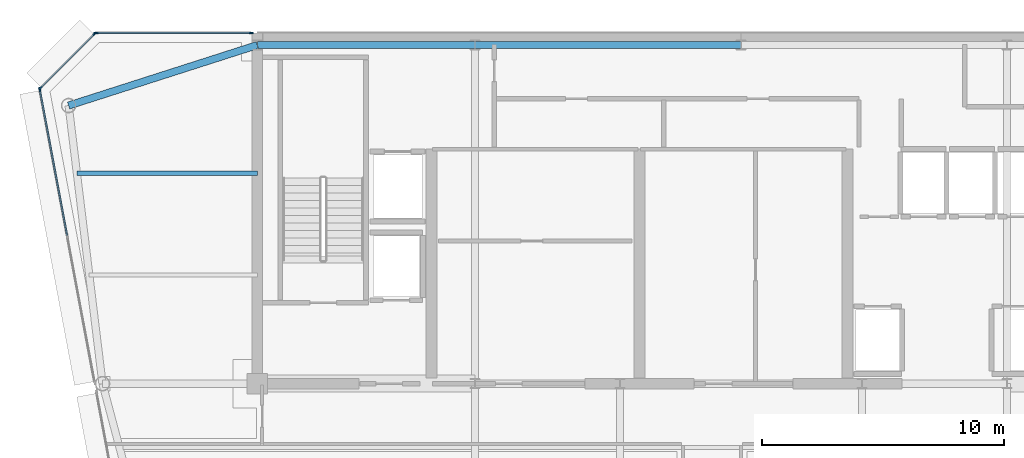
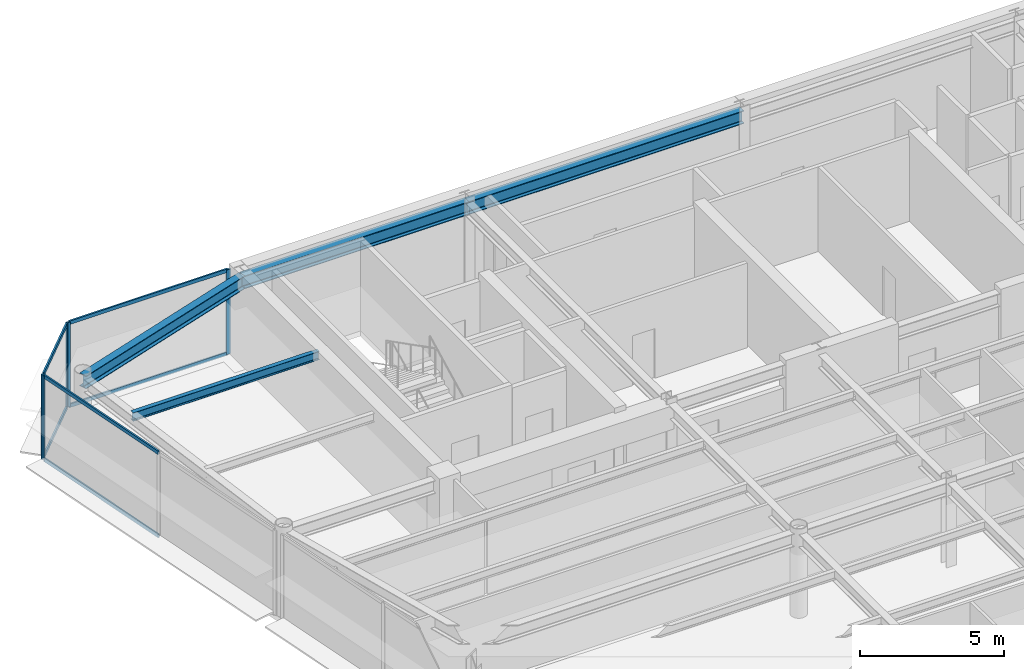
# One storey, part 8 of 19: 11 members, 4 beams, 3 elements without a shape of their own.
"""IFC4 building model written with IfcOpenShell, lengths in metres."""

import ifcopenshell
import ifcopenshell.guid

model = None  # the IFC model being written
_history = None  # IfcOwnerHistory: only IFC2X3 demands one
_inside = {}  # id of a spatial element -> (the spatial element, [elements in it])
_under = {}  # id of a project, library or spatial element -> (it, [spatial elements below it])
_declared = {}  # id of a project -> (the project, [libraries it declares])
_typed = {}  # id of a type object -> (the type object, [elements of that type])
_made_of = {}  # id of a material, layer set ... -> (it, [elements and type objects made of it])


def new_model(schema):
    """Start an empty IFC model of exactly this schema.

    Asked for "IFC4X3", IfcOpenShell would pick the latest addendum, in which some entities
    have other attributes; the version numbers below select the first issue.
    IFC2X3 requires an IfcOwnerHistory on every rooted entity: one is made here for all.
    """
    global model, _history
    if schema == "IFC4X3":
        model = ifcopenshell.file(schema_version=(4, 3, 0, 0))
    else:
        model = ifcopenshell.file(schema=schema)
    _inside.clear()
    _under.clear()
    _declared.clear()
    _typed.clear()
    _made_of.clear()
    _history = None
    if model.schema == "IFC2X3":
        org = make("IfcOrganization", Name="unknown")
        user = make(
            "IfcPersonAndOrganization",
            ThePerson=make("IfcPerson", FamilyName="unknown"),
            TheOrganization=org,
        )
        app = make(
            "IfcApplication",
            ApplicationDeveloper=org,
            Version="unknown",
            ApplicationFullName="unknown",
            ApplicationIdentifier="unknown",
        )
        _history = make(
            "IfcOwnerHistory",
            OwningUser=user,
            OwningApplication=app,
            ChangeAction="ADDED",
            CreationDate=0,
        )
    return model


def make(cls, **values):
    """One entity of the class cls with the attributes given. An attribute that is None is left unset."""
    return model.create_entity(
        cls, **{name: value for name, value in values.items() if value is not None}
    )


def rooted(cls, **values):
    """An entity with a GlobalId (a new one), such as an element, a storey or a relation."""
    return make(cls, GlobalId=ifcopenshell.guid.new(), OwnerHistory=_history, **values)


def si_unit(unit_type, name, prefix=None):
    """IfcSIUnit, for example si_unit("LENGTHUNIT", "METRE", prefix="MILLI")."""
    return make("IfcSIUnit", UnitType=unit_type, Prefix=prefix, Name=name)


def assignment(units):
    """IfcUnitAssignment: the units of a project."""
    return None if units is None else make("IfcUnitAssignment", Units=units)


def point(xyz):
    """IfcCartesianPoint."""
    return None if xyz is None else make("IfcCartesianPoint", Coordinates=xyz)


def direction(xyz):
    """IfcDirection."""
    return None if xyz is None else make("IfcDirection", DirectionRatios=xyz)


def frame(location, z_axis=None, x_axis=None):
    """IfcAxis2Placement3D, a coordinate frame: its origin and axes. An axis left out is left unset."""
    return make(
        "IfcAxis2Placement3D",
        Location=point(location),
        Axis=direction(z_axis),
        RefDirection=direction(x_axis),
    )


def frame_2d(location, x_axis=None):
    """IfcAxis2Placement2D, a coordinate frame in the plane: its origin and x axis."""
    return make(
        "IfcAxis2Placement2D", Location=point(location), RefDirection=direction(x_axis)
    )


def origin():
    """The frame at (0, 0, 0) with its axes left unset."""
    return frame((0.0, 0.0, 0.0))


def origin_2d():
    """The frame at (0, 0) in the plane with its x axis left unset."""
    return frame_2d((0.0, 0.0))


def place(relative_to, where):
    """IfcLocalPlacement: puts the frame where relative to a parent placement (None: the world)."""
    return make(
        "IfcLocalPlacement", PlacementRelTo=relative_to, RelativePlacement=where
    )


def context(
    kind, dimensions, precision=None, world=None, true_north=None, identifier=None
):
    """IfcGeometricRepresentationContext, for example the 3D "Model" context."""
    return make(
        "IfcGeometricRepresentationContext",
        ContextIdentifier=identifier,
        ContextType=kind,
        CoordinateSpaceDimension=dimensions,
        Precision=precision,
        WorldCoordinateSystem=world,
        TrueNorth=true_north,
    )


def subcontext(parent, identifier, kind, view, scale=None):
    """IfcGeometricRepresentationSubContext, for example "Body" below "Model"."""
    return make(
        "IfcGeometricRepresentationSubContext",
        ContextIdentifier=identifier,
        ContextType=kind,
        ParentContext=parent,
        TargetScale=scale,
        TargetView=view,
    )


def project(units=None, contexts=None):
    """IfcProject with its units and contexts."""
    return rooted(
        "IfcProject",
        Name="project",
        RepresentationContexts=contexts,
        UnitsInContext=assignment(units),
    )


def spatial(cls, under=None, at=None, **own):
    """A site, building, storey or space (cls), placed at a placement, below another one or the project."""
    s = rooted(cls, ObjectPlacement=at, **own)
    if under is not None:
        _under.setdefault(under.id(), (under, []))[1].append(s)
    return s


def profile(cls, at=None, kind="AREA", **sizes):
    """A parametric profile (cls). Its sizes go by their IFC names, for example OverallWidth=200.0."""
    return make(cls, ProfileType=kind, Position=at, **sizes)


def rectangle(**sizes):
    """IfcRectangleProfileDef."""
    return profile("IfcRectangleProfileDef", **sizes)


def i_section(**sizes):
    """IfcIShapeProfileDef."""
    return profile("IfcIShapeProfileDef", **sizes)


def extrude(swept, where, along, depth):
    """IfcExtrudedAreaSolid: the profile swept, set in the frame where, extruded along a direction by depth."""
    return make(
        "IfcExtrudedAreaSolid",
        SweptArea=swept,
        Position=where,
        ExtrudedDirection=direction(along),
        Depth=depth,
    )


def shape(context_of_items, identifier, shape_type, items):
    """IfcShapeRepresentation: the items that make up one representation, for example the "Body"."""
    return make(
        "IfcShapeRepresentation",
        ContextOfItems=context_of_items,
        RepresentationIdentifier=identifier,
        RepresentationType=shape_type,
        Items=items,
    )


def source(mapping_origin, context_of_items, identifier, shape_type, items):
    """IfcRepresentationMap: a shape defined once, which mapped items show again and again."""
    return make(
        "IfcRepresentationMap",
        MappingOrigin=mapping_origin,
        MappedRepresentation=shape(context_of_items, identifier, shape_type, items),
    )


def transform(
    local_origin,
    x_axis=None,
    y_axis=None,
    z_axis=None,
    scale=None,
    scale2=None,
    scale3=None,
    uniform=True,
):
    """IfcCartesianTransformationOperator3D, or its non-uniform kind. x_axis, y_axis, z_axis: its Axis1, 2, 3."""
    if uniform:
        return make(
            "IfcCartesianTransformationOperator3D",
            Axis1=direction(x_axis),
            Axis2=direction(y_axis),
            LocalOrigin=point(local_origin),
            Scale=scale,
            Axis3=direction(z_axis),
        )
    return make(
        "IfcCartesianTransformationOperator3DnonUniform",
        Axis1=direction(x_axis),
        Axis2=direction(y_axis),
        LocalOrigin=point(local_origin),
        Scale=scale,
        Axis3=direction(z_axis),
        Scale2=scale2,
        Scale3=scale3,
    )


def mapped(mapping_source, mapping_target):
    """IfcMappedItem: shows the shape of a source again, moved by a transform."""
    return make(
        "IfcMappedItem", MappingSource=mapping_source, MappingTarget=mapping_target
    )


def material(Name=None, Category=None):
    """IfcMaterial."""
    return make("IfcMaterial", Name=Name, Category=Category)


def layer(
    of_material, thickness, ventilated=None, Name=None, Category=None, Priority=None
):
    """IfcMaterialLayer: one layer of a wall or slab, of a material (None: an air gap)."""
    return make(
        "IfcMaterialLayer",
        Material=of_material,
        LayerThickness=thickness,
        IsVentilated=ventilated,
        Name=Name,
        Category=Category,
        Priority=Priority,
    )


def layer_set(layers, Name=None):
    """IfcMaterialLayerSet."""
    return make("IfcMaterialLayerSet", MaterialLayers=layers, LayerSetName=Name)


def material_profile(
    of_material, cross_section, Name=None, Category=None, Priority=None
):
    """IfcMaterialProfile: a cross section and its material."""
    return make(
        "IfcMaterialProfile",
        Name=Name,
        Material=of_material,
        Profile=cross_section,
        Priority=Priority,
        Category=Category,
    )


def profile_set(profiles, Name=None, composite=None):
    """IfcMaterialProfileSet."""
    return make(
        "IfcMaterialProfileSet",
        Name=Name,
        MaterialProfiles=profiles,
        CompositeProfile=composite,
    )


def made_of(thing, what):
    """Note that an element or type object is made of a material, layer set ...; save() writes the relation."""
    if what is not None:
        _made_of.setdefault(what.id(), (what, []))[1].append(thing)
    return thing


def type_object(cls, material=None, **own):
    """A type object (cls), such as IfcWallType, which elements share."""
    return made_of(rooted(cls, **own), material)


def element(
    cls,
    number,
    at=None,
    inside=None,
    cuts=None,
    type_object=None,
    material=None,
    context=None,
    identifier="Body",
    shape_type=None,
    held_by="IfcProductDefinitionShape",
    body=None,
    shapes=None,
    **own,
):
    """One element of the class cls, such as IfcWall. Its Tag is "e" and its number.

    at: its placement. inside: the storey or other place that contains it. cuts: it is an
    opening in that element (IfcRelVoidsElement). A single representation is given by context,
    identifier, shape_type and body (its items); several are given by shapes. held_by: the class
    of the entity that holds the representations. save() writes the other relations.
    """
    e = rooted(cls, Tag="e%d" % number, ObjectPlacement=at, **own)
    if body is not None:
        shapes = [shape(context, identifier, shape_type, body)]
    if shapes is not None:
        e.Representation = make(held_by, Representations=shapes)
    if inside is not None:
        _inside.setdefault(inside.id(), (inside, []))[1].append(e)
    if cuts is not None:
        rooted(
            "IfcRelVoidsElement", RelatingBuildingElement=cuts, RelatedOpeningElement=e
        )
    if type_object is not None:
        _typed.setdefault(type_object.id(), (type_object, []))[1].append(e)
    return made_of(e, material)


def aggregate(whole, parts):
    """IfcRelAggregates: a whole, such as a stair, and the parts it consists of."""
    return rooted("IfcRelAggregates", RelatingObject=whole, RelatedObjects=parts)


def save(model, path):
    """Write the relations noted so far, then the file.

    IfcRelAggregates (storeys below a building ...), IfcRelContainedInSpatialStructure (elements
    in a storey), IfcRelDefinesByType, IfcRelAssociatesMaterial and IfcRelDeclares: one each for
    every whole, place, type object, material and project.
    """
    for whole, parts in _under.values():
        aggregate(whole, parts)
    for where, things in _inside.values():
        rooted(
            "IfcRelContainedInSpatialStructure",
            RelatedElements=things,
            RelatingStructure=where,
        )
    for kind, things in _typed.values():
        rooted("IfcRelDefinesByType", RelatedObjects=things, RelatingType=kind)
    for what, things in _made_of.values():
        rooted("IfcRelAssociatesMaterial", RelatedObjects=things, RelatingMaterial=what)
    for by, libraries in _declared.values():
        rooted("IfcRelDeclares", RelatingContext=by, RelatedDefinitions=libraries)
    model.write(path)


model = new_model("IFC4")

# Units and contexts
model_context = context("Model", 3, precision=1e-05, world=origin(), true_north=direction((0.0, 1.0)))
body_context = subcontext(model_context, "Body", "Model", "MODEL_VIEW")
ifc_project = project(units=[si_unit("LENGTHUNIT", "METRE"), si_unit("AREAUNIT", "SQUARE_METRE"), si_unit("VOLUMEUNIT", "CUBIC_METRE"), si_unit("PLANEANGLEUNIT", "RADIAN"), si_unit("MASSUNIT", "GRAM", prefix="KILO")], contexts=[model_context])

# Site, building, storey
site_placement = place(None, origin())
site = spatial("IfcSite", under=ifc_project, at=site_placement, CompositionType="ELEMENT")
building_placement = place(site_placement, origin())
building = spatial("IfcBuilding", under=site, at=building_placement, Name="Vaeldorn Concourse Tower", CompositionType="ELEMENT")
storey_placement = place(building_placement, frame((0.0, 0.0, 276.39990234375)))
storey = spatial("IfcBuildingStorey", under=building, at=storey_placement, Name="L71", CompositionType="ELEMENT", Elevation=276.39990234375)

# Beams
ifc_material_1 = material(Name="Steel S355", Category="steel")
ifc_material_profile_1 = material_profile(ifc_material_1, i_section(OverallWidth=0.300048828125, OverallDepth=0.550048828125, WebThickness=0.014892578125, FlangeThickness=0.029052734375, FilletRadius=0.027099609375, at=origin_2d()), Name="HEB 550")
ifc_profile_set_1 = profile_set([ifc_material_profile_1], Name="Steel S355")
beam_type_1 = type_object("IfcBeamType", Name="BM-PG-HEB550", PredefinedType="BEAM", material=ifc_profile_set_1)
shared_shape_1 = source(origin(), body_context, "Body", "SweptSolid", [
    extrude(i_section(OverallWidth=0.300048828125, OverallDepth=0.550048828125, WebThickness=0.014892578125, FlangeThickness=0.029052734375, FilletRadius=0.027099609375, at=origin_2d()), origin(), (0.0, 0.0, 1.0), 9.0),
])
beam_1_placement = place(storey_placement, frame((14.0, 50.5, 3.30517578125), z_axis=(1.0, 0.0, 0.0), x_axis=(0.0, 1.0, 0.0)))
element("IfcBeam", 1, at=beam_1_placement, inside=storey, type_object=beam_type_1, Name="Beam BM-L71-C-HC1-C-HC2", PredefinedType="BEAM", context=body_context, shape_type="MappedRepresentation", body=[
    mapped(shared_shape_1, transform((0.0, 0.0, 0.0), scale=1.0)),
])
shared_shape_2 = source(origin(), body_context, "Body", "SweptSolid", [
    extrude(i_section(OverallWidth=0.300048828125, OverallDepth=0.550048828125, WebThickness=0.014892578125, FlangeThickness=0.029052734375, FilletRadius=0.027099609375, at=origin_2d()), origin(), (0.0, 0.0, 1.0), 11.0),
])
beam_2_placement = place(storey_placement, frame((23.0, 50.5, 3.30517578125), z_axis=(1.0, 0.0, 0.0), x_axis=(0.0, 1.0, 0.0)))
element("IfcBeam", 2, at=beam_2_placement, inside=storey, type_object=beam_type_1, Name="Beam BM-L71-C-HC2-C-HC3", PredefinedType="BEAM", context=body_context, shape_type="MappedRepresentation", body=[
    mapped(shared_shape_2, transform((0.0, 0.0, 0.0), scale=1.0)),
])
shared_shape_3 = source(origin(), body_context, "Body", "SweptSolid", [
    extrude(i_section(OverallWidth=0.300048828125, OverallDepth=0.550048828125, WebThickness=0.014892578125, FlangeThickness=0.029052734375, FilletRadius=0.027099609375, at=origin_2d()), origin(), (0.0, 0.0, 1.0), 8.19091796875),
])
beam_3_placement = place(storey_placement, frame((6.199951171875, 48.0, 3.30517578125), z_axis=(0.952282843383, 0.305216949396, 0.0), x_axis=(-0.305216949396, 0.952282843383, 0.0)))
element("IfcBeam", 3, at=beam_3_placement, inside=storey, type_object=beam_type_1, Name="Beam BM-L71-C-NW1-C-HC1", PredefinedType="BEAM", context=body_context, shape_type="MappedRepresentation", body=[
    mapped(shared_shape_3, transform((0.0, 0.0, 0.0), scale=1.0)),
])
ifc_material_profile_2 = material_profile(ifc_material_1, i_section(OverallWidth=0.169921875, OverallDepth=0.360107421875, WebThickness=0.008056640625, FlangeThickness=0.0126953125, FilletRadius=0.01806640625, at=origin_2d()), Name="IPE 360")
ifc_profile_set_2 = profile_set([ifc_material_profile_2], Name="Steel S355")
beam_type_2 = type_object("IfcBeamType", Name="BM-JS-IPE360", PredefinedType="JOIST", material=ifc_profile_set_2)
shared_shape_4 = source(origin(), body_context, "Body", "SweptSolid", [
    extrude(i_section(OverallWidth=0.169921875, OverallDepth=0.360107421875, WebThickness=0.008056640625, FlangeThickness=0.0126953125, FilletRadius=0.01806640625, at=origin_2d()), origin(), (0.0, 0.0, 1.0), 7.458984375),
])
beam_4_placement = place(storey_placement, frame((6.541015625, 45.199951171875, 3.400146484375), z_axis=(1.0, 0.0, 0.0), x_axis=(0.0, 1.0, 0.0)))
element("IfcBeam", 4, at=beam_4_placement, inside=storey, type_object=beam_type_2, Name="Beam JS-L71-NW-452", PredefinedType="JOIST", context=body_context, shape_type="MappedRepresentation", body=[
    mapped(shared_shape_4, transform((0.0, 0.0, 0.0), scale=1.0)),
])

# Curtain wall, members
ifc_material_2 = material(Name="Anodised Bronze Aluminium", Category="aluminium")
ifc_layer = layer(ifc_material_2, 0.179931640625)
ifc_layer_set = layer_set([ifc_layer], Name="Anodised Bronze Aluminium")
curtain_wall_type = type_object("IfcCurtainWallType", Name="CW-SYS-05", PredefinedType="NOTDEFINED", material=ifc_layer_set)
curtain_wall_1_placement = place(storey_placement, origin())
curtain_wall_1 = element("IfcCurtainWall", 5, at=curtain_wall_1_placement, inside=storey, type_object=curtain_wall_type, Name="Unitised Curtain Wall CW-L71-E10-1", PredefinedType="NOTDEFINED")
ifc_material_profile_3 = material_profile(ifc_material_2, rectangle(XDim=0.06494140625, YDim=0.14990234375, at=origin_2d()), Name="CWT 65x150")
ifc_profile_set_3 = profile_set([ifc_material_profile_3], Name="Anodised Bronze Aluminium")
member_type_1 = type_object("IfcMemberType", Name="CWT-BRONZE-150", PredefinedType="USERDEFINED", material=ifc_profile_set_3)
shared_shape_5 = source(origin(), body_context, "Body", "SweptSolid", [
    extrude(rectangle(XDim=0.06494140625, YDim=0.14990234375, at=origin_2d()), origin(), (0.0, 0.0, 1.0), 3.123046875),
])
member_1_placement = place(storey_placement, frame((7.254150390625, 50.9541015625, 0.03271484375), z_axis=(-0.707106781187, -0.707106781187, 0.0), x_axis=(0.707106781187, -0.707106781187, 0.0)))
member_1 = element("IfcMember", 6, at=member_1_placement, type_object=member_type_1, Name="CW-05 transom 1.1", ObjectType="TRANSOM", PredefinedType="USERDEFINED", context=body_context, shape_type="MappedRepresentation", body=[
    mapped(shared_shape_5, transform((0.0, 0.0, 0.0), scale=1.0)),
])
member_2_placement = place(storey_placement, frame((7.254150390625, 50.9541015625, 3.547607421875), z_axis=(-0.707106781187, -0.707106781187, 0.0), x_axis=(0.707106781187, -0.707106781187, 0.0)))
member_2 = element("IfcMember", 7, at=member_2_placement, type_object=member_type_1, Name="CW-05 transom 1.2", ObjectType="TRANSOM", PredefinedType="USERDEFINED", context=body_context, shape_type="MappedRepresentation", body=[
    mapped(shared_shape_5, transform((0.0, 0.0, 0.0), scale=1.0)),
])

curtain_wall_2_placement = place(storey_placement, origin())
curtain_wall_2 = element("IfcCurtainWall", 8, at=curtain_wall_2_placement, inside=storey, type_object=curtain_wall_type, Name="Unitised Curtain Wall CW-L71-E09-2", PredefinedType="NOTDEFINED")
ifc_material_profile_4 = material_profile(ifc_material_2, rectangle(XDim=0.06494140625, YDim=0.169921875, at=origin_2d()), Name="CWM 65x170")
ifc_profile_set_4 = profile_set([ifc_material_profile_4], Name="Anodised Bronze Aluminium")
member_type_2 = type_object("IfcMemberType", Name="CWM-BRONZE-170", PredefinedType="MULLION", material=ifc_profile_set_4)
shared_shape_6 = source(origin(), body_context, "Body", "SweptSolid", [
    extrude(rectangle(XDim=0.06494140625, YDim=0.169921875, at=origin_2d()), origin(), (0.0, 0.0, 1.0), 3.580078125),
])
member_3_placement = place(storey_placement, frame((13.74755859375, 51.0, 0.0), z_axis=(0.0, 0.0, 1.0), x_axis=(0.0, -1.0, 0.0)))
member_3 = element("IfcMember", 9, at=member_3_placement, type_object=member_type_2, Name="CW-05 mullion 1", PredefinedType="MULLION", context=body_context, shape_type="MappedRepresentation", body=[
    mapped(shared_shape_6, transform((0.0, 0.0, 0.0), scale=1.0)),
])
member_4_placement = place(storey_placement, frame((7.33251953125, 51.0, 0.0), z_axis=(0.0, 0.0, 1.0), x_axis=(0.0, -1.0, 0.0)))
member_4 = element("IfcMember", 10, at=member_4_placement, type_object=member_type_2, Name="CW-05 mullion 2", PredefinedType="MULLION", context=body_context, shape_type="MappedRepresentation", body=[
    mapped(shared_shape_6, transform((0.0, 0.0, 0.0), scale=1.0)),
])

# Member
member_5_placement = place(storey_placement, frame((7.277099609375, 50.97705078125, 0.0), z_axis=(0.0, 0.0, 1.0), x_axis=(0.707106781187, -0.707106781187, 0.0)))
member_5 = element("IfcMember", 11, at=member_5_placement, type_object=member_type_2, Name="CW-05 mullion 1", PredefinedType="MULLION", context=body_context, shape_type="MappedRepresentation", body=[
    mapped(shared_shape_6, transform((0.0, 0.0, 0.0), scale=1.0)),
])

member_6_placement = place(storey_placement, frame((5.02294921875, 48.722900390625, 0.0), z_axis=(0.0, 0.0, 1.0), x_axis=(0.707106781187, -0.707106781187, 0.0)))
member_6 = element("IfcMember", 12, at=member_6_placement, type_object=member_type_2, Name="CW-05 mullion 2", PredefinedType="MULLION", context=body_context, shape_type="MappedRepresentation", body=[
    mapped(shared_shape_6, transform((0.0, 0.0, 0.0), scale=1.0)),
])

aggregate(curtain_wall_1, [member_5, member_6, member_1, member_2])

# Curtain wall, member
curtain_wall_3_placement = place(storey_placement, origin())
curtain_wall_3 = element("IfcCurtainWall", 13, at=curtain_wall_3_placement, inside=storey, type_object=curtain_wall_type, Name="Unitised Curtain Wall CW-L71-E11-1", PredefinedType="NOTDEFINED")
member_7_placement = place(storey_placement, frame((5.006103515625, 48.66796875, 0.0), z_axis=(0.0, 0.0, 1.0), x_axis=(0.982880218842, 0.184245693053, 0.0)))
member_7 = element("IfcMember", 14, at=member_7_placement, type_object=member_type_2, Name="CW-05 mullion 1", PredefinedType="MULLION", context=body_context, shape_type="MappedRepresentation", body=[
    mapped(shared_shape_6, transform((0.0, 0.0, 0.0), scale=1.0)),
])

# Member
shared_shape_7 = source(origin(), body_context, "Body", "SweptSolid", [
    extrude(rectangle(XDim=0.06494140625, YDim=0.14990234375, at=origin_2d()), origin(), (0.0, 0.0, 1.0), 6.35009765625),
])
member_8_placement = place(storey_placement, frame((13.715087890625, 51.0, 0.03271484375), z_axis=(-1.0, 0.0, 0.0), x_axis=(0.0, -1.0, 0.0)))
member_8 = element("IfcMember", 15, at=member_8_placement, type_object=member_type_1, Name="CW-05 transom 1.1", ObjectType="TRANSOM", PredefinedType="USERDEFINED", context=body_context, shape_type="MappedRepresentation", body=[
    mapped(shared_shape_7, transform((0.0, 0.0, 0.0), scale=1.0)),
])

member_9_placement = place(storey_placement, frame((13.715087890625, 51.0, 3.547607421875), z_axis=(-1.0, 0.0, 0.0), x_axis=(0.0, -1.0, 0.0)))
member_9 = element("IfcMember", 16, at=member_9_placement, type_object=member_type_1, Name="CW-05 transom 1.2", ObjectType="TRANSOM", PredefinedType="USERDEFINED", context=body_context, shape_type="MappedRepresentation", body=[
    mapped(shared_shape_7, transform((0.0, 0.0, 0.0), scale=1.0)),
])

aggregate(curtain_wall_2, [member_3, member_4, member_8, member_9])

shared_shape_8 = source(origin(), body_context, "Body", "SweptSolid", [
    extrude(rectangle(XDim=0.06494140625, YDim=0.14990234375, at=origin_2d()), origin(), (0.0, 0.0, 1.0), 6.103515625),
])
member_10_placement = place(storey_placement, frame((5.011962890625, 48.63623046875, 0.03271484375), z_axis=(0.18424023288, -0.982881242363, 0.0), x_axis=(0.982881242363, 0.18424023288, 0.0)))
member_10 = element("IfcMember", 17, at=member_10_placement, type_object=member_type_1, Name="CW-05 transom 1.1", ObjectType="TRANSOM", PredefinedType="USERDEFINED", context=body_context, shape_type="MappedRepresentation", body=[
    mapped(shared_shape_8, transform((0.0, 0.0, 0.0), scale=1.0)),
])

member_11_placement = place(storey_placement, frame((5.011962890625, 48.63623046875, 3.547607421875), z_axis=(0.18424023288, -0.982881242363, 0.0), x_axis=(0.982881242363, 0.18424023288, 0.0)))
member_11 = element("IfcMember", 18, at=member_11_placement, type_object=member_type_1, Name="CW-05 transom 1.2", ObjectType="TRANSOM", PredefinedType="USERDEFINED", context=body_context, shape_type="MappedRepresentation", body=[
    mapped(shared_shape_8, transform((0.0, 0.0, 0.0), scale=1.0)),
])

aggregate(curtain_wall_3, [member_7, member_10, member_11])

save(model, "model.ifc")
